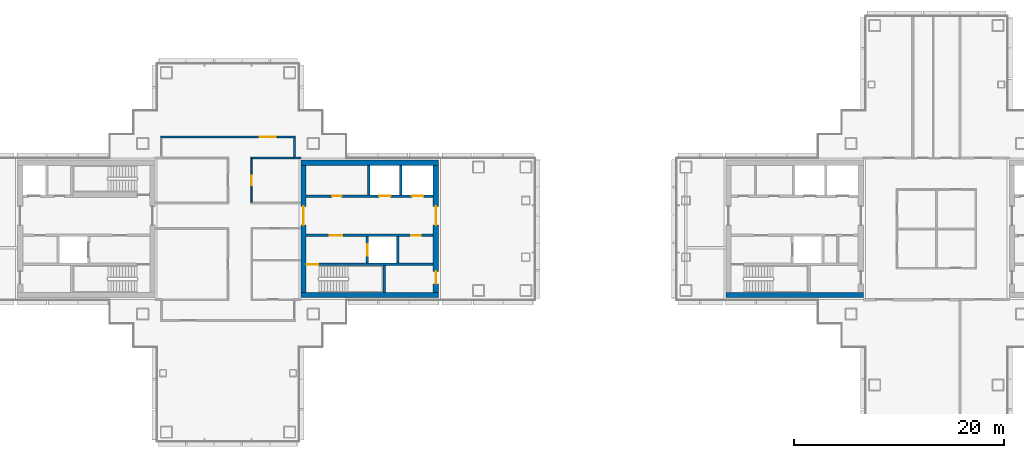
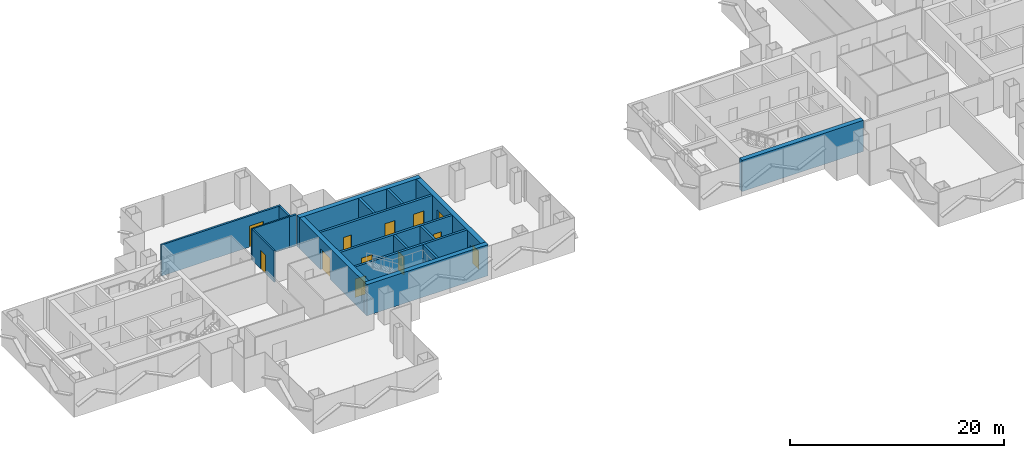
# One storey, part 10 of 16: 18 walls, 12 doors, 12 openings.
"""IFC4 building model written with IfcOpenShell, lengths in metres."""

from ifc_helpers import new_model, si_unit, direction, frame, frame_2d, origin, place, context, subcontext, project, spatial, rectangle, extrude, material, layer, layer_set, type_object, element, fill, save


model = new_model("IFC4")

# Units and contexts
model_context = context("Model", 3, precision=1e-05, world=origin(), true_north=direction((0.0, 1.0)))
body_context = subcontext(model_context, "Body", "Model", "MODEL_VIEW")
ifc_project = project(units=[si_unit("LENGTHUNIT", "METRE"), si_unit("AREAUNIT", "SQUARE_METRE"), si_unit("VOLUMEUNIT", "CUBIC_METRE"), si_unit("PLANEANGLEUNIT", "RADIAN"), si_unit("MASSUNIT", "GRAM", prefix="KILO")], contexts=[model_context])

# Site, building, storey
site_placement = place(None, origin())
site = spatial("IfcSite", under=ifc_project, at=site_placement, CompositionType="ELEMENT")
building_placement = place(site_placement, origin())
building = spatial("IfcBuilding", under=site, at=building_placement, Name="Shamsa Quay Exchange Towers", CompositionType="ELEMENT")
storey_placement = place(building_placement, frame((0.0, 0.0, 146.699951171875)))
storey = spatial("IfcBuildingStorey", under=building, at=storey_placement, Name="L34", CompositionType="ELEMENT", Elevation=146.699951171875)

# Wall, opening, door
ifc_material_1 = material(Name="Double-leaf gypsum board partition with acoustic insulation")
ifc_layer_1 = layer(ifc_material_1, 0.199951171875)
ifc_layer_set_1 = layer_set([ifc_layer_1], Name="Acoustic partition 200 mm EI 60")
wall_type_1 = type_object("IfcWallType", Name="Acoustic partition 200 mm EI 60", PredefinedType="PARTITIONING", material=ifc_layer_set_1)
wall_1_placement = place(storey_placement, frame((-27.32470703125, 8.75, 0.0), z_axis=(0.0, 0.0, 1.0), x_axis=(-1.0, 0.0, 0.0)))
wall_1 = element("IfcWall", 1, at=wall_1_placement, inside=storey, type_object=wall_type_1, Name="Partition T1-R16-W14", PredefinedType="PARTITIONING", context=body_context, shape_type="SweptSolid", body=[
    extrude(rectangle(XDim=12.8505859375, YDim=0.199951171875, at=frame_2d((6.42529296875, 0.0))), origin(), (0.0, 0.0, 1.0), 3.550048828125),
])
opening_1_placement = place(wall_1_placement, frame((1.880126953125, 0.0, 0.0)))
opening_1 = element("IfcOpeningElement", 2, at=opening_1_placement, cuts=wall_1, Name="Opening T1-R16-D08", PredefinedType="OPENING", context=body_context, shape_type="SweptSolid", body=[
    extrude(rectangle(XDim=1.5, YDim=2.39990234375, at=frame_2d((0.75, 1.199951171875))), frame((0.0, 0.10986328125, 0.0), z_axis=(0.0, -1.0, 0.0), x_axis=(1.0, 0.0, 0.0)), (0.0, 0.0, 1.0), 0.219970703125),
])
ifc_material_2 = material(Name="Timber door leaf in a metal frame", Category="wood")
door_type_1 = type_object("IfcDoorType", Name="Door 1500x2400 FD30S pair", OperationType="NOTDEFINED", PredefinedType="DOOR", material=ifc_material_2)
door_1_placement = place(opening_1_placement, origin())
door_1 = element("IfcDoor", 3, at=door_1_placement, inside=storey, type_object=door_type_1, Name="Door T1-R16-D08", OperationType="DOUBLE_DOOR_SINGLE_SWING", OverallHeight=2.39990234375, OverallWidth=1.5, PredefinedType="DOOR", context=body_context, shape_type="SweptSolid", body=[
    extrude(rectangle(XDim=1.5, YDim=2.39990234375, at=frame_2d((0.75, 1.199951171875))), frame((0.0, 0.02490234375, 0.0), z_axis=(0.0, -1.0, 0.0), x_axis=(1.0, 0.0, 0.0)), (0.0, 0.0, 1.0), 0.050048828125),
])
fill(opening_1, door_1)

# Walls
wall_2_placement = place(storey_placement, frame((-27.4248046875, 6.85009765625, 0.0), z_axis=(0.0, 0.0, 1.0), x_axis=(0.0, 1.0, 0.0)))
element("IfcWall", 4, at=wall_2_placement, inside=storey, type_object=wall_type_1, Name="Partition T1-R16-W15", PredefinedType="PARTITIONING", context=body_context, shape_type="SweptSolid", body=[
    extrude(rectangle(XDim=1.7998046875, YDim=0.199951171875, at=frame_2d((0.89990234375, 0.0))), origin(), (0.0, 0.0, 1.0), 3.550048828125),
])
wall_3_placement = place(storey_placement, frame((-26.800048828125, 6.75, 0.0), z_axis=(0.0, 0.0, 1.0), x_axis=(-1.0, 0.0, 0.0)))
element("IfcWall", 5, at=wall_3_placement, inside=storey, type_object=wall_type_1, Name="Partition T1-R16-W19", PredefinedType="PARTITIONING", context=body_context, shape_type="SweptSolid", body=[
    extrude(rectangle(XDim=0.724853515625, YDim=0.199951171875, at=frame_2d((0.3623046875, 0.0))), origin(), (0.0, 0.0, 1.0), 3.550048828125),
])
ifc_material_3 = material(Name="Concrete C60/75", Category="concrete")
ifc_layer_2 = layer(ifc_material_3, 0.5)
ifc_layer_set_2 = layer_set([ifc_layer_2], Name="CORE WALL 500 C60/75")
wall_type_2 = type_object("IfcWallType", Name="CORE WALL 500 C60/75", PredefinedType="SHEAR", material=ifc_layer_set_2)
for number, where, name in (
    (6, (-26.800048828125, -6.300048828125, 0.0), "Core wall T1A-R16-PS"),
    (7, (-26.800048828125, 6.300048828125, 0.0), "Core wall T1A-R16-PN"),
):
    element("IfcWall", number, at=place(storey_placement, frame(where)), inside=storey, type_object=wall_type_2, Name=name, PredefinedType="SHEAR", context=body_context, shape_type="SweptSolid", body=[
        extrude(rectangle(XDim=13.10009765625, YDim=0.5, at=frame_2d((6.550048828125, 0.0))), origin(), (0.0, 0.0, 1.0), 3.550048828125),
    ])

# Wall, opening, door
wall_4_placement = place(storey_placement, frame((-26.550048828125, 6.050048828125, 0.0), z_axis=(0.0, 0.0, 1.0), x_axis=(0.0, -1.0, 0.0)))
wall_4 = element("IfcWall", 8, at=wall_4_placement, inside=storey, type_object=wall_type_2, Name="Core wall T1A-R16-PF", PredefinedType="SHEAR", context=body_context, shape_type="SweptSolid", body=[
    extrude(rectangle(XDim=12.10009765625, YDim=0.5, at=frame_2d((6.050048828125, 0.0))), origin(), (0.0, 0.0, 1.0), 3.550048828125),
])
opening_2_placement = place(wall_4_placement, frame((3.89990234375, 0.0, 0.0)))
opening_2 = element("IfcOpeningElement", 9, at=opening_2_placement, cuts=wall_4, Name="Opening T1A-R16-LBD01", PredefinedType="OPENING", context=body_context, shape_type="SweptSolid", body=[
    extrude(rectangle(XDim=1.800048828125, YDim=2.39990234375, at=frame_2d((0.89990234375, 1.199951171875))), frame((0.0, 0.260009765625, 0.0), z_axis=(0.0, -1.0, 0.0), x_axis=(1.0, 0.0, 0.0)), (0.0, 0.0, 1.0), 0.52001953125),
])
ifc_material_4 = material(Name="Steel, fire rated", Category="steel")
door_type_2 = type_object("IfcDoorType", Name="LIFT LOBBY DOOR PAIR 1800", OperationType="DOUBLE_DOOR_SINGLE_SWING", PredefinedType="DOOR", material=ifc_material_4)
door_2_placement = place(opening_2_placement, origin())
door_2 = element("IfcDoor", 10, at=door_2_placement, inside=storey, type_object=door_type_2, Name="T1A-R16-LBD01", OperationType="DOUBLE_DOOR_SINGLE_SWING", OverallHeight=2.39990234375, OverallWidth=1.800048828125, PredefinedType="DOOR", context=body_context, shape_type="SweptSolid", body=[
    extrude(rectangle(XDim=1.800048828125, YDim=2.39990234375, at=frame_2d((0.89990234375, 1.199951171875))), frame((0.0, 0.02490234375, 0.0), z_axis=(0.0, -1.0, 0.0), x_axis=(1.0, 0.0, 0.0)), (0.0, 0.0, 1.0), 0.050048828125),
])
fill(opening_2, door_2)

# Wall, openings, doors
wall_5_placement = place(storey_placement, frame((-13.949951171875, 6.050048828125, 0.0), z_axis=(0.0, 0.0, 1.0), x_axis=(0.0, -1.0, 0.0)))
wall_5 = element("IfcWall", 11, at=wall_5_placement, inside=storey, type_object=wall_type_2, Name="Core wall T1A-R16-PB", PredefinedType="SHEAR", context=body_context, shape_type="SweptSolid", body=[
    extrude(rectangle(XDim=12.10009765625, YDim=0.5, at=frame_2d((6.050048828125, 0.0))), origin(), (0.0, 0.0, 1.0), 3.550048828125),
])
opening_3_placement = place(wall_5_placement, frame((10.10009765625, 0.0, 0.0)))
opening_3 = element("IfcOpeningElement", 12, at=opening_3_placement, cuts=wall_5, Name="Opening T1A-R16-RD02", PredefinedType="OPENING", context=body_context, shape_type="SweptSolid", body=[
    extrude(rectangle(XDim=1.199951171875, YDim=2.10009765625, at=frame_2d((0.60009765625, 1.050048828125))), frame((0.0, 0.260009765625, 0.0), z_axis=(0.0, -1.0, 0.0), x_axis=(1.0, 0.0, 0.0)), (0.0, 0.0, 1.0), 0.52001953125),
])
opening_4_placement = place(wall_5_placement, frame((3.89990234375, 0.0, 0.0)))
opening_4 = element("IfcOpeningElement", 13, at=opening_4_placement, cuts=wall_5, Name="Opening T1A-R16-LBD03", PredefinedType="OPENING", context=body_context, shape_type="SweptSolid", body=[
    extrude(rectangle(XDim=1.800048828125, YDim=2.39990234375, at=frame_2d((0.89990234375, 1.199951171875))), frame((0.0, 0.260009765625, 0.0), z_axis=(0.0, -1.0, 0.0), x_axis=(1.0, 0.0, 0.0)), (0.0, 0.0, 1.0), 0.52001953125),
])
door_3_placement = place(opening_4_placement, origin())
door_3 = element("IfcDoor", 14, at=door_3_placement, inside=storey, type_object=door_type_2, Name="T1A-R16-LBD03", OperationType="DOUBLE_DOOR_SINGLE_SWING", OverallHeight=2.39990234375, OverallWidth=1.800048828125, PredefinedType="DOOR", context=body_context, shape_type="SweptSolid", body=[
    extrude(rectangle(XDim=1.800048828125, YDim=2.39990234375, at=frame_2d((0.89990234375, 1.199951171875))), frame((0.0, 0.02490234375, 0.0), z_axis=(0.0, -1.0, 0.0), x_axis=(1.0, 0.0, 0.0)), (0.0, 0.0, 1.0), 0.050048828125),
])
fill(opening_4, door_3)
door_type_3 = type_object("IfcDoorType", Name="RISER ACCESS DOOR 1200", OperationType="SINGLE_SWING_LEFT", PredefinedType="DOOR", material=ifc_material_4)
door_4_placement = place(opening_3_placement, origin())
door_4 = element("IfcDoor", 15, at=door_4_placement, inside=storey, type_object=door_type_3, Name="T1A-R16-RD02", OperationType="SINGLE_SWING_RIGHT", OverallHeight=2.10009765625, OverallWidth=1.199951171875, PredefinedType="DOOR", context=body_context, shape_type="SweptSolid", body=[
    extrude(rectangle(XDim=1.199951171875, YDim=2.10009765625, at=frame_2d((0.60009765625, 1.050048828125))), frame((0.0, 0.02490234375, 0.0), z_axis=(0.0, -1.0, 0.0), x_axis=(1.0, 0.0, 0.0)), (0.0, 0.0, 1.0), 0.050048828125),
])
fill(opening_3, door_4)

# Walls
wall_6_placement = place(storey_placement, frame((13.699951171875, -6.300048828125, 0.0)))
element("IfcWall", 16, at=wall_6_placement, inside=storey, type_object=wall_type_2, Name="Core wall T2A-R16-PS", PredefinedType="SHEAR", context=body_context, shape_type="SweptSolid", body=[
    extrude(rectangle(XDim=13.10009765625, YDim=0.5, at=frame_2d((6.550048828125, 0.0))), origin(), (0.0, 0.0, 1.0), 3.550048828125),
])
ifc_material_5 = material(Name="Gypsum board partition on metal studs")
ifc_layer_3 = layer(ifc_material_5, 0.14990234375)
ifc_layer_set_3 = layer_set([ifc_layer_3], Name="Partition 150 mm EI 60")
wall_type_3 = type_object("IfcWallType", Name="Partition 150 mm EI 60", PredefinedType="PARTITIONING", material=ifc_layer_set_3)
wall_7_placement = place(storey_placement, frame((-27.32470703125, 6.75, 0.0), z_axis=(0.0, 0.0, 1.0), x_axis=(-1.0, 0.0, 0.0)))
element("IfcWall", 17, at=wall_7_placement, inside=storey, type_object=wall_type_3, Name="Partition T1-R16-W01", PredefinedType="PARTITIONING", context=body_context, shape_type="SweptSolid", body=[
    extrude(rectangle(XDim=4.250244140625, YDim=0.14990234375, at=frame_2d((2.125, 0.0))), origin(), (0.0, 0.0, 1.0), 3.550048828125),
])

# Wall, opening, door
wall_8_placement = place(storey_placement, frame((-31.5, 6.675048828125, 0.0), z_axis=(0.0, 0.0, 1.0), x_axis=(0.0, -1.0, 0.0)))
wall_8 = element("IfcWall", 18, at=wall_8_placement, inside=storey, type_object=wall_type_3, Name="Partition T1-R16-W02", PredefinedType="PARTITIONING", context=body_context, shape_type="SweptSolid", body=[
    extrude(rectangle(XDim=4.14990234375, YDim=0.14990234375, at=frame_2d((2.074951171875, 0.0))), origin(), (0.0, 0.0, 1.0), 3.550048828125),
])
opening_5_placement = place(wall_8_placement, frame((1.625, 0.0, 0.0)))
opening_5 = element("IfcOpeningElement", 19, at=opening_5_placement, cuts=wall_8, Name="Opening T1-R16-D06", PredefinedType="OPENING", context=body_context, shape_type="SweptSolid", body=[
    extrude(rectangle(XDim=0.89990234375, YDim=2.10009765625, at=frame_2d((0.449951171875, 1.050048828125))), frame((0.0, 0.0849609375, 0.0), z_axis=(0.0, -1.0, 0.0), x_axis=(1.0, 0.0, 0.0)), (0.0, 0.0, 1.0), 0.169921875),
])
door_type_4 = type_object("IfcDoorType", Name="Door 900x2100 FD30S", OperationType="NOTDEFINED", PredefinedType="DOOR", material=ifc_material_2)
door_5_placement = place(opening_5_placement, origin())
door_5 = element("IfcDoor", 20, at=door_5_placement, inside=storey, type_object=door_type_4, Name="Door T1-R16-D06", OperationType="SINGLE_SWING_LEFT", OverallHeight=2.10009765625, OverallWidth=0.89990234375, PredefinedType="DOOR", context=body_context, shape_type="SweptSolid", body=[
    extrude(rectangle(XDim=0.89990234375, YDim=2.10009765625, at=frame_2d((0.449951171875, 1.050048828125))), frame((0.0, 0.02490234375, 0.0), z_axis=(0.0, -1.0, 0.0), x_axis=(1.0, 0.0, 0.0)), (0.0, 0.0, 1.0), 0.050048828125),
])
fill(opening_5, door_5)

ifc_material_6 = material(Name="Concrete C50/60", Category="concrete")
ifc_layer_4 = layer(ifc_material_6, 0.25)
ifc_layer_set_4 = layer_set([ifc_layer_4], Name="SHAFT WALL 250 C50/60")
wall_type_4 = type_object("IfcWallType", Name="SHAFT WALL 250 C50/60", PredefinedType="SHEAR", material=ifc_layer_set_4)
wall_9_placement = place(storey_placement, frame((-14.199951171875, -3.375, 0.0), z_axis=(0.0, 0.0, 1.0), x_axis=(-1.0, 0.0, 0.0)))
wall_9 = element("IfcWall", 21, at=wall_9_placement, inside=storey, type_object=wall_type_4, Name="Shaft wall T1A-R16-STL", PredefinedType="SHEAR", context=body_context, shape_type="SweptSolid", body=[
    extrude(rectangle(XDim=12.10009765625, YDim=0.25, at=frame_2d((6.050048828125, 0.0))), origin(), (0.0, 0.0, 1.0), 3.550048828125),
])
opening_6_placement = place(wall_9_placement, frame((10.949951171875, 0.0, 0.0)))
opening_6 = element("IfcOpeningElement", 22, at=opening_6_placement, cuts=wall_9, Name="Opening T1A-R16-SD04", PredefinedType="OPENING", context=body_context, shape_type="SweptSolid", body=[
    extrude(rectangle(XDim=1.10009765625, YDim=2.10009765625, at=frame_2d((0.550048828125, 1.050048828125))), frame((0.0, 0.135009765625, 0.0), z_axis=(0.0, -1.0, 0.0), x_axis=(1.0, 0.0, 0.0)), (0.0, 0.0, 1.0), 0.27001953125),
])
door_type_5 = type_object("IfcDoorType", Name="STAIR DOOR 1100", OperationType="SINGLE_SWING_LEFT", PredefinedType="DOOR", material=ifc_material_4)
door_6_placement = place(opening_6_placement, origin())
door_6 = element("IfcDoor", 23, at=door_6_placement, inside=storey, type_object=door_type_5, Name="T1A-R16-SD04", OperationType="SINGLE_SWING_RIGHT", OverallHeight=2.10009765625, OverallWidth=1.10009765625, PredefinedType="DOOR", context=body_context, shape_type="SweptSolid", body=[
    extrude(rectangle(XDim=1.10009765625, YDim=2.10009765625, at=frame_2d((0.550048828125, 1.050048828125))), frame((0.0, 0.02490234375, 0.0), z_axis=(0.0, -1.0, 0.0), x_axis=(1.0, 0.0, 0.0)), (0.0, 0.0, 1.0), 0.050048828125),
])
fill(opening_6, door_6)

# Wall
wall_10_placement = place(storey_placement, frame((-18.875, -6.050048828125, 0.0), z_axis=(0.0, 0.0, 1.0), x_axis=(0.0, 1.0, 0.0)))
element("IfcWall", 24, at=wall_10_placement, inside=storey, type_object=wall_type_4, Name="Shaft wall T1A-R16-STF", PredefinedType="SHEAR", context=body_context, shape_type="SweptSolid", body=[
    extrude(rectangle(XDim=2.550048828125, YDim=0.25, at=frame_2d((1.27490234375, 0.0))), origin(), (0.0, 0.0, 1.0), 3.550048828125),
])

# Wall, openings, doors
wall_11_placement = place(storey_placement, frame((-14.199951171875, -0.625, 0.0), z_axis=(0.0, 0.0, 1.0), x_axis=(-1.0, 0.0, 0.0)))
wall_11 = element("IfcWall", 25, at=wall_11_placement, inside=storey, type_object=wall_type_4, Name="Shaft wall T1A-R16-B", PredefinedType="SHEAR", context=body_context, shape_type="SweptSolid", body=[
    extrude(rectangle(XDim=12.10009765625, YDim=0.25, at=frame_2d((6.050048828125, 0.0))), origin(), (0.0, 0.0, 1.0), 3.550048828125),
])
opening_7_placement = place(wall_11_placement, frame((8.64990234375, 0.0, 0.0)))
opening_7 = element("IfcOpeningElement", 26, at=opening_7_placement, cuts=wall_11, Name="Opening T1A-R16-FD05", PredefinedType="OPENING", context=body_context, shape_type="SweptSolid", body=[
    extrude(rectangle(XDim=1.199951171875, YDim=2.10009765625, at=frame_2d((0.60009765625, 1.050048828125))), frame((0.0, 0.135009765625, 0.0), z_axis=(0.0, -1.0, 0.0), x_axis=(1.0, 0.0, 0.0)), (0.0, 0.0, 1.0), 0.27001953125),
])
opening_8_placement = place(wall_11_placement, frame((1.175048828125, 0.0, 0.0)))
opening_8 = element("IfcOpeningElement", 27, at=opening_8_placement, cuts=wall_11, Name="Opening T1A-R16-SV06", PredefinedType="OPENING", context=body_context, shape_type="SweptSolid", body=[
    extrude(rectangle(XDim=0.89990234375, YDim=2.10009765625, at=frame_2d((0.449951171875, 1.050048828125))), frame((0.0, 0.135009765625, 0.0), z_axis=(0.0, -1.0, 0.0), x_axis=(1.0, 0.0, 0.0)), (0.0, 0.0, 1.0), 0.27001953125),
])
door_type_6 = type_object("IfcDoorType", Name="FIRE SERVICE LOBBY DOOR 1200", OperationType="SINGLE_SWING_LEFT", PredefinedType="DOOR", material=ifc_material_4)
door_7_placement = place(opening_7_placement, origin())
door_7 = element("IfcDoor", 28, at=door_7_placement, inside=storey, type_object=door_type_6, Name="T1A-R16-FD05", OperationType="SINGLE_SWING_RIGHT", OverallHeight=2.10009765625, OverallWidth=1.199951171875, PredefinedType="DOOR", context=body_context, shape_type="SweptSolid", body=[
    extrude(rectangle(XDim=1.199951171875, YDim=2.10009765625, at=frame_2d((0.60009765625, 1.050048828125))), frame((0.0, 0.02490234375, 0.0), z_axis=(0.0, -1.0, 0.0), x_axis=(1.0, 0.0, 0.0)), (0.0, 0.0, 1.0), 0.050048828125),
])
fill(opening_7, door_7)
door_type_7 = type_object("IfcDoorType", Name="SERVICE ROOM DOOR 900", OperationType="SINGLE_SWING_LEFT", PredefinedType="DOOR", material=ifc_material_4)
door_8_placement = place(opening_8_placement, origin())
door_8 = element("IfcDoor", 29, at=door_8_placement, inside=storey, type_object=door_type_7, Name="T1A-R16-SV06", OperationType="SINGLE_SWING_LEFT", OverallHeight=2.10009765625, OverallWidth=0.89990234375, PredefinedType="DOOR", context=body_context, shape_type="SweptSolid", body=[
    extrude(rectangle(XDim=0.89990234375, YDim=2.10009765625, at=frame_2d((0.449951171875, 1.050048828125))), frame((0.0, 0.02490234375, 0.0), z_axis=(0.0, -1.0, 0.0), x_axis=(1.0, 0.0, 0.0)), (0.0, 0.0, 1.0), 0.050048828125),
])
fill(opening_8, door_8)

# Wall, opening, door
wall_12_placement = place(storey_placement, frame((-20.47509765625, -3.25, 0.0), z_axis=(0.0, 0.0, 1.0), x_axis=(0.0, 1.0, 0.0)))
wall_12 = element("IfcWall", 30, at=wall_12_placement, inside=storey, type_object=wall_type_4, Name="Shaft wall T1A-R16-FFF", PredefinedType="SHEAR", context=body_context, shape_type="SweptSolid", body=[
    extrude(rectangle(XDim=2.5, YDim=0.25, at=frame_2d((1.25, 0.0))), origin(), (0.0, 0.0, 1.0), 3.550048828125),
])
opening_9_placement = place(wall_12_placement, frame((0.699951171875, 0.0, 0.0)))
opening_9 = element("IfcOpeningElement", 31, at=opening_9_placement, cuts=wall_12, Name="Opening T1A-R16-LDF07", PredefinedType="OPENING", context=body_context, shape_type="SweptSolid", body=[
    extrude(rectangle(XDim=1.10009765625, YDim=2.10009765625, at=frame_2d((0.550048828125, 1.050048828125))), frame((0.0, 0.135009765625, 0.0), z_axis=(0.0, -1.0, 0.0), x_axis=(1.0, 0.0, 0.0)), (0.0, 0.0, 1.0), 0.27001953125),
])
door_type_8 = type_object("IfcDoorType", Name="FIRE SERVICE LANDING DOOR 1100", OperationType="SLIDING_TO_LEFT", PredefinedType="DOOR", material=ifc_material_4)
door_9_placement = place(opening_9_placement, origin())
door_9 = element("IfcDoor", 32, at=door_9_placement, inside=storey, type_object=door_type_8, Name="T1A-R16-LDF07", OperationType="SLIDING_TO_LEFT", OverallHeight=2.10009765625, OverallWidth=1.10009765625, PredefinedType="DOOR", context=body_context, shape_type="SweptSolid", body=[
    extrude(rectangle(XDim=1.10009765625, YDim=2.10009765625, at=frame_2d((0.550048828125, 1.050048828125))), frame((0.0, 0.02490234375, 0.0), z_axis=(0.0, -1.0, 0.0), x_axis=(1.0, 0.0, 0.0)), (0.0, 0.0, 1.0), 0.050048828125),
])
fill(opening_9, door_9)

# Wall
wall_13_placement = place(storey_placement, frame((-17.574951171875, -3.25, 0.0), z_axis=(0.0, 0.0, 1.0), x_axis=(0.0, 1.0, 0.0)))
element("IfcWall", 33, at=wall_13_placement, inside=storey, type_object=wall_type_4, Name="Shaft wall T1A-R16-FFB", PredefinedType="SHEAR", context=body_context, shape_type="SweptSolid", body=[
    extrude(rectangle(XDim=2.5, YDim=0.25, at=frame_2d((1.25, 0.0))), origin(), (0.0, 0.0, 1.0), 3.550048828125),
])

# Wall, openings, doors
wall_14_placement = place(storey_placement, frame((-26.300048828125, 3.125, 0.0)))
wall_14 = element("IfcWall", 34, at=wall_14_placement, inside=storey, type_object=wall_type_4, Name="Shaft wall T1A-R16-N", PredefinedType="SHEAR", context=body_context, shape_type="SweptSolid", body=[
    extrude(rectangle(XDim=12.10009765625, YDim=0.25, at=frame_2d((6.050048828125, 0.0))), origin(), (0.0, 0.0, 1.0), 3.550048828125),
])
opening_10_placement = place(wall_14_placement, frame((6.949951171875, 0.0, 0.0)))
opening_10 = element("IfcOpeningElement", 35, at=opening_10_placement, cuts=wall_14, Name="Opening T1A-R16-LD08", PredefinedType="OPENING", context=body_context, shape_type="SweptSolid", body=[
    extrude(rectangle(XDim=1.10009765625, YDim=2.10009765625, at=frame_2d((0.550048828125, 1.050048828125))), frame((0.0, 0.135009765625, 0.0), z_axis=(0.0, -1.0, 0.0), x_axis=(1.0, 0.0, 0.0)), (0.0, 0.0, 1.0), 0.27001953125),
])
opening_11_placement = place(wall_14_placement, frame((10.074951171875, 0.0, 0.0)))
opening_11 = element("IfcOpeningElement", 36, at=opening_11_placement, cuts=wall_14, Name="Opening T1A-R16-LD09", PredefinedType="OPENING", context=body_context, shape_type="SweptSolid", body=[
    extrude(rectangle(XDim=1.10009765625, YDim=2.10009765625, at=frame_2d((0.550048828125, 1.050048828125))), frame((0.0, 0.135009765625, 0.0), z_axis=(0.0, -1.0, 0.0), x_axis=(1.0, 0.0, 0.0)), (0.0, 0.0, 1.0), 0.27001953125),
])
opening_12_placement = place(wall_14_placement, frame((2.47509765625, 0.0, 0.0)))
opening_12 = element("IfcOpeningElement", 37, at=opening_12_placement, cuts=wall_14, Name="Opening T1A-R16-SV10", PredefinedType="OPENING", context=body_context, shape_type="SweptSolid", body=[
    extrude(rectangle(XDim=0.89990234375, YDim=2.10009765625, at=frame_2d((0.449951171875, 1.050048828125))), frame((0.0, 0.135009765625, 0.0), z_axis=(0.0, -1.0, 0.0), x_axis=(1.0, 0.0, 0.0)), (0.0, 0.0, 1.0), 0.27001953125),
])
door_type_9 = type_object("IfcDoorType", Name="LANDING DOOR 1100", OperationType="SLIDING_TO_LEFT", PredefinedType="DOOR", material=ifc_material_4)
door_10_placement = place(opening_10_placement, origin())
door_10 = element("IfcDoor", 38, at=door_10_placement, inside=storey, type_object=door_type_9, Name="T1A-R16-LD08", OperationType="SLIDING_TO_LEFT", OverallHeight=2.10009765625, OverallWidth=1.10009765625, PredefinedType="DOOR", context=body_context, shape_type="SweptSolid", body=[
    extrude(rectangle(XDim=1.10009765625, YDim=2.10009765625, at=frame_2d((0.550048828125, 1.050048828125))), frame((0.0, 0.02490234375, 0.0), z_axis=(0.0, -1.0, 0.0), x_axis=(1.0, 0.0, 0.0)), (0.0, 0.0, 1.0), 0.050048828125),
])
fill(opening_10, door_10)
door_11_placement = place(opening_11_placement, origin())
door_11 = element("IfcDoor", 39, at=door_11_placement, inside=storey, type_object=door_type_9, Name="T1A-R16-LD09", OperationType="SLIDING_TO_LEFT", OverallHeight=2.10009765625, OverallWidth=1.10009765625, PredefinedType="DOOR", context=body_context, shape_type="SweptSolid", body=[
    extrude(rectangle(XDim=1.10009765625, YDim=2.10009765625, at=frame_2d((0.550048828125, 1.050048828125))), frame((0.0, 0.02490234375, 0.0), z_axis=(0.0, -1.0, 0.0), x_axis=(1.0, 0.0, 0.0)), (0.0, 0.0, 1.0), 0.050048828125),
])
fill(opening_11, door_11)
door_12_placement = place(opening_12_placement, origin())
door_12 = element("IfcDoor", 40, at=door_12_placement, inside=storey, type_object=door_type_7, Name="T1A-R16-SV10", OperationType="SINGLE_SWING_LEFT", OverallHeight=2.10009765625, OverallWidth=0.89990234375, PredefinedType="DOOR", context=body_context, shape_type="SweptSolid", body=[
    extrude(rectangle(XDim=0.89990234375, YDim=2.10009765625, at=frame_2d((0.449951171875, 1.050048828125))), frame((0.0, 0.02490234375, 0.0), z_axis=(0.0, -1.0, 0.0), x_axis=(1.0, 0.0, 0.0)), (0.0, 0.0, 1.0), 0.050048828125),
])
fill(opening_12, door_12)

# Walls
for number, where, z_axis, x_axis, name in (
    (41, (-20.324951171875, 3.25, 0.0), (0.0, 0.0, 1.0), (0.0, 1.0, 0.0), "Shaft wall T1A-R16-D1"),
    (42, (-17.27490234375, 3.25, 0.0), (0.0, 0.0, 1.0), (0.0, 1.0, 0.0), "Shaft wall T1A-R16-D2"),
):
    element("IfcWall", number, at=place(storey_placement, frame(where, z_axis=z_axis, x_axis=x_axis)), inside=storey, type_object=wall_type_4, Name=name, PredefinedType="SHEAR", context=body_context, shape_type="SweptSolid", body=[
        extrude(rectangle(XDim=2.800048828125, YDim=0.25, at=frame_2d((1.39990234375, 0.0))), origin(), (0.0, 0.0, 1.0), 3.550048828125),
    ])

save(model, "model.ifc")
